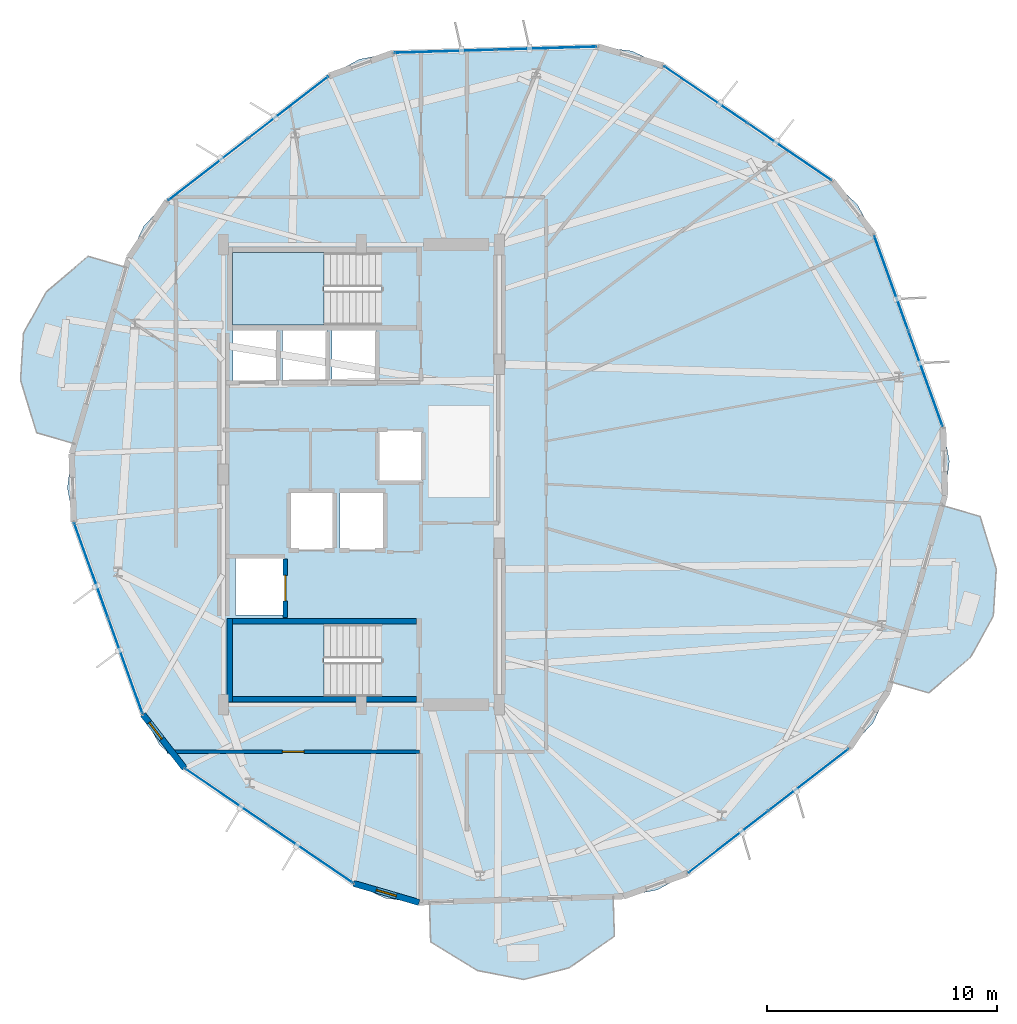
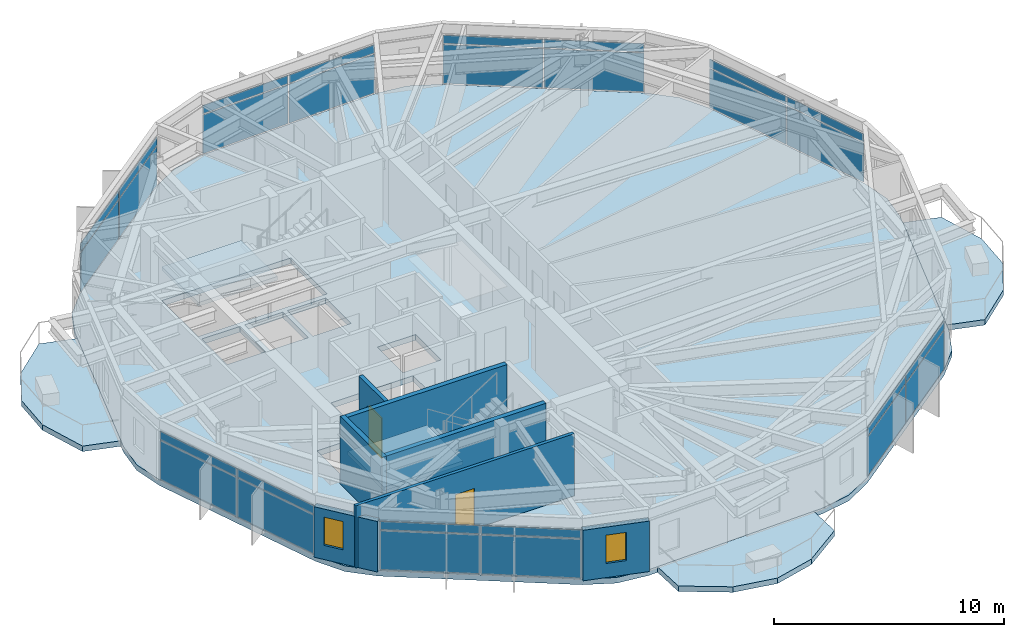
# One storey, part 17 of 23: 28 plates, 7 walls, 6 slabs, 2 doors, 2 windows, 4 openings, 9 elements without a shape of their own.
"""IFC4 building model written with IfcOpenShell, lengths in metres."""

from ifc_helpers import new_model, si_unit, direction, frame, frame_2d, origin, origin_2d, place, context, subcontext, project, spatial, polyline, rectangle, outline, extrude, material, layer, layer_set, type_object, element, fill, aggregate, save


model = new_model("IFC4")

# Units and contexts
model_context = context("Model", 3, precision=1e-05, world=origin(), true_north=direction((0.0, 1.0)))
body_context = subcontext(model_context, "Body", "Model", "MODEL_VIEW")
ifc_project = project(units=[si_unit("LENGTHUNIT", "METRE"), si_unit("AREAUNIT", "SQUARE_METRE"), si_unit("VOLUMEUNIT", "CUBIC_METRE"), si_unit("PLANEANGLEUNIT", "RADIAN"), si_unit("MASSUNIT", "GRAM", prefix="KILO")], contexts=[model_context])

# Site, building, storey
site_placement = place(None, origin())
site = spatial("IfcSite", under=ifc_project, at=site_placement, CompositionType="ELEMENT")
building_placement = place(site_placement, origin())
building = spatial("IfcBuilding", under=site, at=building_placement, Name="Soratama Intermodal Tower", CompositionType="ELEMENT")
storey_placement = place(building_placement, frame((0.0, 0.0, 171.39990234375)))
storey = spatial("IfcBuildingStorey", under=building, at=storey_placement, Name="L42", CompositionType="ELEMENT", Elevation=171.39990234375)

# Curtain wall, plates
ifc_material_1 = material(Name="Double-glazed aluminium curtain wall", Category="aluminium")
ifc_layer_1 = layer(ifc_material_1, 0.159912109375)
ifc_layer_set_1 = layer_set([ifc_layer_1], Name="Double-glazed aluminium curtain wall")
curtain_wall_type = type_object("IfcCurtainWallType", Name="CW-SYS-4", PredefinedType="NOTDEFINED", material=ifc_layer_set_1)
curtain_wall_1_placement = place(storey_placement, origin())
curtain_wall_1 = element("IfcCurtainWall", 1, at=curtain_wall_1_placement, inside=storey, type_object=curtain_wall_type, Name="L42 Faceted Curtain Wall F01", PredefinedType="NOTDEFINED")
ifc_material_2 = material(Name="Low-E laminated double glazing", Category="glass")
ifc_layer_2 = layer(ifc_material_2, 0.02392578125)
ifc_layer_set_2 = layer_set([ifc_layer_2], Name="Low-E laminated double glazing")
plate_type = type_object("IfcPlateType", Name="PT-CWP-4", PredefinedType="CURTAIN_PANEL", material=ifc_layer_set_2)
plate_1_placement = place(storey_placement, frame((57.224365234375, 39.02734375, 0.06005859375), z_axis=(0.0, 0.0, 1.0), x_axis=(-0.826490080966, 0.562951282142, 0.0)))
plate_1 = element("IfcPlate", 2, at=plate_1_placement, type_object=plate_type, Name="CW-4 panel 1.1", PredefinedType="CURTAIN_PANEL", context=body_context, shape_type="SweptSolid", body=[
    extrude(rectangle(XDim=4.353271484375, YDim=0.028076171875, at=origin_2d()), origin(), (0.0, 0.0, 1.0), 2.06005859375),
])
plate_2_placement = place(storey_placement, frame((57.224365234375, 39.02734375, 2.18017578125), z_axis=(0.0, 0.0, 1.0), x_axis=(-0.826490080966, 0.562951282142, 0.0)))
plate_2 = element("IfcPlate", 3, at=plate_2_placement, type_object=plate_type, Name="CW-4 panel 1.2", PredefinedType="CURTAIN_PANEL", context=body_context, shape_type="SweptSolid", body=[
    extrude(rectangle(XDim=4.353271484375, YDim=0.028076171875, at=origin_2d()), origin(), (0.0, 0.0, 1.0), 0.43896484375),
])
plate_3_placement = place(storey_placement, frame((53.576904296875, 41.511962890625, 0.06005859375), z_axis=(0.0, 0.0, 1.0), x_axis=(-0.826490080966, 0.562951282142, 0.0)))
plate_3 = element("IfcPlate", 4, at=plate_3_placement, type_object=plate_type, Name="CW-4 panel 2.1", PredefinedType="CURTAIN_PANEL", context=body_context, shape_type="SweptSolid", body=[
    extrude(rectangle(XDim=4.353271484375, YDim=0.028076171875, at=origin_2d()), origin(), (0.0, 0.0, 1.0), 2.06005859375),
])
plate_4_placement = place(storey_placement, frame((53.576904296875, 41.511962890625, 2.18017578125), z_axis=(0.0, 0.0, 1.0), x_axis=(-0.826490080966, 0.562951282142, 0.0)))
plate_4 = element("IfcPlate", 5, at=plate_4_placement, type_object=plate_type, Name="CW-4 panel 2.2", PredefinedType="CURTAIN_PANEL", context=body_context, shape_type="SweptSolid", body=[
    extrude(rectangle(XDim=4.353271484375, YDim=0.028076171875, at=origin_2d()), origin(), (0.0, 0.0, 1.0), 0.43896484375),
])
aggregate(curtain_wall_1, [plate_1, plate_2, plate_3, plate_4])

curtain_wall_2_placement = place(storey_placement, origin())
curtain_wall_2 = element("IfcCurtainWall", 6, at=curtain_wall_2_placement, inside=storey, type_object=curtain_wall_type, Name="L42 Faceted Curtain Wall F02", PredefinedType="NOTDEFINED")
plate_5_placement = place(storey_placement, frame((46.644775390625, 43.53369140625, 0.06005859375), z_axis=(0.0, 0.0, 1.0), x_axis=(-0.999539029315, -0.030359988073, 0.0)))
plate_5 = element("IfcPlate", 7, at=plate_5_placement, type_object=plate_type, Name="CW-4 panel 1.1", PredefinedType="CURTAIN_PANEL", context=body_context, shape_type="SweptSolid", body=[
    extrude(rectangle(XDim=4.353271484375, YDim=0.028076171875, at=origin_2d()), origin(), (0.0, 0.0, 1.0), 2.06005859375),
])
plate_6_placement = place(storey_placement, frame((46.644775390625, 43.53369140625, 2.18017578125), z_axis=(0.0, 0.0, 1.0), x_axis=(-0.999539029315, -0.030359988073, 0.0)))
plate_6 = element("IfcPlate", 8, at=plate_6_placement, type_object=plate_type, Name="CW-4 panel 1.2", PredefinedType="CURTAIN_PANEL", context=body_context, shape_type="SweptSolid", body=[
    extrude(rectangle(XDim=4.353271484375, YDim=0.028076171875, at=origin_2d()), origin(), (0.0, 0.0, 1.0), 0.43896484375),
])
plate_7_placement = place(storey_placement, frame((42.2333984375, 43.399658203125, 0.06005859375), z_axis=(0.0, 0.0, 1.0), x_axis=(-0.999539029315, -0.030359988073, 0.0)))
plate_7 = element("IfcPlate", 9, at=plate_7_placement, type_object=plate_type, Name="CW-4 panel 2.1", PredefinedType="CURTAIN_PANEL", context=body_context, shape_type="SweptSolid", body=[
    extrude(rectangle(XDim=4.353271484375, YDim=0.028076171875, at=origin_2d()), origin(), (0.0, 0.0, 1.0), 2.06005859375),
])
plate_8_placement = place(storey_placement, frame((42.2333984375, 43.399658203125, 2.18017578125), z_axis=(0.0, 0.0, 1.0), x_axis=(-0.999539029315, -0.030359988073, 0.0)))
plate_8 = element("IfcPlate", 10, at=plate_8_placement, type_object=plate_type, Name="CW-4 panel 2.2", PredefinedType="CURTAIN_PANEL", context=body_context, shape_type="SweptSolid", body=[
    extrude(rectangle(XDim=4.353271484375, YDim=0.028076171875, at=origin_2d()), origin(), (0.0, 0.0, 1.0), 0.43896484375),
])
aggregate(curtain_wall_2, [plate_5, plate_6, plate_7, plate_8])

curtain_wall_3_placement = place(storey_placement, origin())
curtain_wall_3 = element("IfcCurtainWall", 11, at=curtain_wall_3_placement, inside=storey, type_object=curtain_wall_type, Name="L42 Faceted Curtain Wall F03", PredefinedType="NOTDEFINED")
plate_9_placement = place(storey_placement, frame((35.436767578125, 40.960693359375, 0.06005859375), z_axis=(0.0, 0.0, 1.0), x_axis=(-0.790801189601, -0.612073099005, 0.0)))
plate_9 = element("IfcPlate", 12, at=plate_9_placement, type_object=plate_type, Name="CW-4 panel 1.1", PredefinedType="CURTAIN_PANEL", context=body_context, shape_type="SweptSolid", body=[
    extrude(rectangle(XDim=4.353271484375, YDim=0.028076171875, at=origin_2d()), origin(), (0.0, 0.0, 1.0), 2.06005859375),
])
plate_10_placement = place(storey_placement, frame((35.436767578125, 40.960693359375, 2.18017578125), z_axis=(0.0, 0.0, 1.0), x_axis=(-0.790801189601, -0.612073099005, 0.0)))
plate_10 = element("IfcPlate", 13, at=plate_10_placement, type_object=plate_type, Name="CW-4 panel 1.2", PredefinedType="CURTAIN_PANEL", context=body_context, shape_type="SweptSolid", body=[
    extrude(rectangle(XDim=4.353271484375, YDim=0.028076171875, at=origin_2d()), origin(), (0.0, 0.0, 1.0), 0.43896484375),
])
plate_11_placement = place(storey_placement, frame((31.94677734375, 38.259521484375, 0.06005859375), z_axis=(0.0, 0.0, 1.0), x_axis=(-0.790801189601, -0.612073099005, 0.0)))
plate_11 = element("IfcPlate", 14, at=plate_11_placement, type_object=plate_type, Name="CW-4 panel 2.1", PredefinedType="CURTAIN_PANEL", context=body_context, shape_type="SweptSolid", body=[
    extrude(rectangle(XDim=4.353271484375, YDim=0.028076171875, at=origin_2d()), origin(), (0.0, 0.0, 1.0), 2.06005859375),
])
plate_12_placement = place(storey_placement, frame((31.94677734375, 38.259521484375, 2.18017578125), z_axis=(0.0, 0.0, 1.0), x_axis=(-0.790801189601, -0.612073099005, 0.0)))
plate_12 = element("IfcPlate", 15, at=plate_12_placement, type_object=plate_type, Name="CW-4 panel 2.2", PredefinedType="CURTAIN_PANEL", context=body_context, shape_type="SweptSolid", body=[
    extrude(rectangle(XDim=4.353271484375, YDim=0.028076171875, at=origin_2d()), origin(), (0.0, 0.0, 1.0), 0.43896484375),
])
aggregate(curtain_wall_3, [plate_9, plate_10, plate_11, plate_12])

curtain_wall_4_placement = place(storey_placement, origin())
curtain_wall_4 = element("IfcCurtainWall", 16, at=curtain_wall_4_placement, inside=storey, type_object=curtain_wall_type, Name="L42 Faceted Curtain Wall F05", PredefinedType="NOTDEFINED")
plate_13_placement = place(storey_placement, frame((26.865234375, 20.8369140625, 0.06005859375), z_axis=(0.0, 0.0, 1.0), x_axis=(0.337751011288, -0.94123549358, 0.0)))
plate_13 = element("IfcPlate", 17, at=plate_13_placement, type_object=plate_type, Name="CW-4 panel 1.1", PredefinedType="CURTAIN_PANEL", context=body_context, shape_type="SweptSolid", body=[
    extrude(rectangle(XDim=4.353271484375, YDim=0.028076171875, at=origin_2d()), origin(), (0.0, 0.0, 1.0), 2.06005859375),
])
plate_14_placement = place(storey_placement, frame((26.865234375, 20.8369140625, 2.18017578125), z_axis=(0.0, 0.0, 1.0), x_axis=(0.337751011288, -0.94123549358, 0.0)))
plate_14 = element("IfcPlate", 18, at=plate_14_placement, type_object=plate_type, Name="CW-4 panel 1.2", PredefinedType="CURTAIN_PANEL", context=body_context, shape_type="SweptSolid", body=[
    extrude(rectangle(XDim=4.353271484375, YDim=0.028076171875, at=origin_2d()), origin(), (0.0, 0.0, 1.0), 0.43896484375),
])
plate_15_placement = place(storey_placement, frame((28.355712890625, 16.682861328125, 0.06005859375), z_axis=(0.0, 0.0, 1.0), x_axis=(0.337751011288, -0.94123549358, 0.0)))
plate_15 = element("IfcPlate", 19, at=plate_15_placement, type_object=plate_type, Name="CW-4 panel 2.1", PredefinedType="CURTAIN_PANEL", context=body_context, shape_type="SweptSolid", body=[
    extrude(rectangle(XDim=4.353271484375, YDim=0.028076171875, at=origin_2d()), origin(), (0.0, 0.0, 1.0), 2.06005859375),
])
plate_16_placement = place(storey_placement, frame((28.355712890625, 16.682861328125, 2.18017578125), z_axis=(0.0, 0.0, 1.0), x_axis=(0.337751011288, -0.94123549358, 0.0)))
plate_16 = element("IfcPlate", 20, at=plate_16_placement, type_object=plate_type, Name="CW-4 panel 2.2", PredefinedType="CURTAIN_PANEL", context=body_context, shape_type="SweptSolid", body=[
    extrude(rectangle(XDim=4.353271484375, YDim=0.028076171875, at=origin_2d()), origin(), (0.0, 0.0, 1.0), 0.43896484375),
])
aggregate(curtain_wall_4, [plate_13, plate_14, plate_15, plate_16])

curtain_wall_5_placement = place(storey_placement, origin())
curtain_wall_5 = element("IfcCurtainWall", 21, at=curtain_wall_5_placement, inside=storey, type_object=curtain_wall_type, Name="L42 Faceted Curtain Wall F06", PredefinedType="NOTDEFINED")
plate_17_placement = place(storey_placement, frame((32.775634765625, 10.97265625, 0.06005859375), z_axis=(0.0, 0.0, 1.0), x_axis=(0.826490080966, -0.562951282142, 0.0)))
plate_17 = element("IfcPlate", 22, at=plate_17_placement, type_object=plate_type, Name="CW-4 panel 1.1", PredefinedType="CURTAIN_PANEL", context=body_context, shape_type="SweptSolid", body=[
    extrude(rectangle(XDim=4.353271484375, YDim=0.028076171875, at=origin_2d()), origin(), (0.0, 0.0, 1.0), 2.06005859375),
])
plate_18_placement = place(storey_placement, frame((32.775634765625, 10.97265625, 2.18017578125), z_axis=(0.0, 0.0, 1.0), x_axis=(0.826490080966, -0.562951282142, 0.0)))
plate_18 = element("IfcPlate", 23, at=plate_18_placement, type_object=plate_type, Name="CW-4 panel 1.2", PredefinedType="CURTAIN_PANEL", context=body_context, shape_type="SweptSolid", body=[
    extrude(rectangle(XDim=4.353271484375, YDim=0.028076171875, at=origin_2d()), origin(), (0.0, 0.0, 1.0), 0.43896484375),
])
plate_19_placement = place(storey_placement, frame((36.423095703125, 8.488037109375, 0.06005859375), z_axis=(0.0, 0.0, 1.0), x_axis=(0.826490080966, -0.562951282142, 0.0)))
plate_19 = element("IfcPlate", 24, at=plate_19_placement, type_object=plate_type, Name="CW-4 panel 2.1", PredefinedType="CURTAIN_PANEL", context=body_context, shape_type="SweptSolid", body=[
    extrude(rectangle(XDim=4.353271484375, YDim=0.028076171875, at=origin_2d()), origin(), (0.0, 0.0, 1.0), 2.06005859375),
])
plate_20_placement = place(storey_placement, frame((36.423095703125, 8.488037109375, 2.18017578125), z_axis=(0.0, 0.0, 1.0), x_axis=(0.826490080966, -0.562951282142, 0.0)))
plate_20 = element("IfcPlate", 25, at=plate_20_placement, type_object=plate_type, Name="CW-4 panel 2.2", PredefinedType="CURTAIN_PANEL", context=body_context, shape_type="SweptSolid", body=[
    extrude(rectangle(XDim=4.353271484375, YDim=0.028076171875, at=origin_2d()), origin(), (0.0, 0.0, 1.0), 0.43896484375),
])
aggregate(curtain_wall_5, [plate_17, plate_18, plate_19, plate_20])

curtain_wall_6_placement = place(storey_placement, origin())
curtain_wall_6 = element("IfcCurtainWall", 26, at=curtain_wall_6_placement, inside=storey, type_object=curtain_wall_type, Name="L42 Faceted Curtain Wall F08", PredefinedType="NOTDEFINED")
plate_21_placement = place(storey_placement, frame((54.563232421875, 9.039306640625, 0.06005859375), z_axis=(0.0, 0.0, 1.0), x_axis=(0.790801189601, 0.612073099005, 0.0)))
plate_21 = element("IfcPlate", 27, at=plate_21_placement, type_object=plate_type, Name="CW-4 panel 1.1", PredefinedType="CURTAIN_PANEL", context=body_context, shape_type="SweptSolid", body=[
    extrude(rectangle(XDim=4.353271484375, YDim=0.028076171875, at=origin_2d()), origin(), (0.0, 0.0, 1.0), 2.06005859375),
])
plate_22_placement = place(storey_placement, frame((54.563232421875, 9.039306640625, 2.18017578125), z_axis=(0.0, 0.0, 1.0), x_axis=(0.790801189601, 0.612073099005, 0.0)))
plate_22 = element("IfcPlate", 28, at=plate_22_placement, type_object=plate_type, Name="CW-4 panel 1.2", PredefinedType="CURTAIN_PANEL", context=body_context, shape_type="SweptSolid", body=[
    extrude(rectangle(XDim=4.353271484375, YDim=0.028076171875, at=origin_2d()), origin(), (0.0, 0.0, 1.0), 0.43896484375),
])
plate_23_placement = place(storey_placement, frame((58.05322265625, 11.740478515625, 0.06005859375), z_axis=(0.0, 0.0, 1.0), x_axis=(0.790801189601, 0.612073099005, 0.0)))
plate_23 = element("IfcPlate", 29, at=plate_23_placement, type_object=plate_type, Name="CW-4 panel 2.1", PredefinedType="CURTAIN_PANEL", context=body_context, shape_type="SweptSolid", body=[
    extrude(rectangle(XDim=4.353271484375, YDim=0.028076171875, at=origin_2d()), origin(), (0.0, 0.0, 1.0), 2.06005859375),
])
plate_24_placement = place(storey_placement, frame((58.05322265625, 11.740478515625, 2.18017578125), z_axis=(0.0, 0.0, 1.0), x_axis=(0.790801189601, 0.612073099005, 0.0)))
plate_24 = element("IfcPlate", 30, at=plate_24_placement, type_object=plate_type, Name="CW-4 panel 2.2", PredefinedType="CURTAIN_PANEL", context=body_context, shape_type="SweptSolid", body=[
    extrude(rectangle(XDim=4.353271484375, YDim=0.028076171875, at=origin_2d()), origin(), (0.0, 0.0, 1.0), 0.43896484375),
])
aggregate(curtain_wall_6, [plate_21, plate_22, plate_23, plate_24])

curtain_wall_7_placement = place(storey_placement, origin())
curtain_wall_7 = element("IfcCurtainWall", 31, at=curtain_wall_7_placement, inside=storey, type_object=curtain_wall_type, Name="L42 Faceted Curtain Wall F10", PredefinedType="NOTDEFINED")
plate_25_placement = place(storey_placement, frame((63.134765625, 29.1630859375, 0.06005859375), z_axis=(0.0, 0.0, 1.0), x_axis=(-0.337751011288, 0.94123549358, 0.0)))
plate_25 = element("IfcPlate", 32, at=plate_25_placement, type_object=plate_type, Name="CW-4 panel 1.1", PredefinedType="CURTAIN_PANEL", context=body_context, shape_type="SweptSolid", body=[
    extrude(rectangle(XDim=4.353271484375, YDim=0.028076171875, at=origin_2d()), origin(), (0.0, 0.0, 1.0), 2.06005859375),
])
plate_26_placement = place(storey_placement, frame((63.134765625, 29.1630859375, 2.18017578125), z_axis=(0.0, 0.0, 1.0), x_axis=(-0.337751011288, 0.94123549358, 0.0)))
plate_26 = element("IfcPlate", 33, at=plate_26_placement, type_object=plate_type, Name="CW-4 panel 1.2", PredefinedType="CURTAIN_PANEL", context=body_context, shape_type="SweptSolid", body=[
    extrude(rectangle(XDim=4.353271484375, YDim=0.028076171875, at=origin_2d()), origin(), (0.0, 0.0, 1.0), 0.43896484375),
])
plate_27_placement = place(storey_placement, frame((61.644287109375, 33.317138671875, 0.06005859375), z_axis=(0.0, 0.0, 1.0), x_axis=(-0.337751011288, 0.94123549358, 0.0)))
plate_27 = element("IfcPlate", 34, at=plate_27_placement, type_object=plate_type, Name="CW-4 panel 2.1", PredefinedType="CURTAIN_PANEL", context=body_context, shape_type="SweptSolid", body=[
    extrude(rectangle(XDim=4.353271484375, YDim=0.028076171875, at=origin_2d()), origin(), (0.0, 0.0, 1.0), 2.06005859375),
])
plate_28_placement = place(storey_placement, frame((61.644287109375, 33.317138671875, 2.18017578125), z_axis=(0.0, 0.0, 1.0), x_axis=(-0.337751011288, 0.94123549358, 0.0)))
plate_28 = element("IfcPlate", 35, at=plate_28_placement, type_object=plate_type, Name="CW-4 panel 2.2", PredefinedType="CURTAIN_PANEL", context=body_context, shape_type="SweptSolid", body=[
    extrude(rectangle(XDim=4.353271484375, YDim=0.028076171875, at=origin_2d()), origin(), (0.0, 0.0, 1.0), 0.43896484375),
])
aggregate(curtain_wall_7, [plate_25, plate_26, plate_27, plate_28])

# Slabs
ifc_material_3 = material(Name="Concrete f'c 42 MPa", Category="concrete")
ifc_layer_3 = layer(ifc_material_3, 0.2900390625)
ifc_layer_set_3 = layer_set([ifc_layer_3], Name="Concrete f'c 42 MPa")
slab_type_1 = type_object("IfcSlabType", Name="SL-EXT-BAL2", PredefinedType="FLOOR", material=ifc_layer_set_3)
slab_1_placement = place(storey_placement, frame((0.0, 0.0, -0.289794921875)))
element("IfcSlab", 36, at=slab_1_placement, inside=storey, type_object=slab_type_1, Name="L42 Planted Balcony East 1", PredefinedType="FLOOR", context=body_context, shape_type="SweptSolid", body=[
    extrude(outline(polyline([(61.6181640625, 15.993408203125), (63.8544921875, 23.66064453125), (65.505615234375, 23.178955078125), (66.205078125, 20.89501953125), (66.076904296875, 18.8525390625), (65.0869140625, 17.0615234375), (63.269287109375, 15.51171875), (61.6181640625, 15.993408203125)])), origin(), (0.0, 0.0, 1.0), 0.289794921875),
])
slab_2_placement = place(storey_placement, frame((0.0, 0.0, -0.289794921875)))
element("IfcSlab", 37, at=slab_2_placement, inside=storey, type_object=slab_type_1, Name="L42 Planted Balcony West 2", PredefinedType="FLOOR", context=body_context, shape_type="SweptSolid", body=[
    extrude(outline(polyline([(28.3818359375, 34.006591796875), (26.1455078125, 26.33935546875), (24.494384765625, 26.821044921875), (23.794921875, 29.10498046875), (23.923095703125, 31.1474609375), (24.9130859375, 32.9384765625), (26.730712890625, 34.48828125), (28.3818359375, 34.006591796875)])), origin(), (0.0, 0.0, 1.0), 0.289794921875),
])
slab_3_placement = place(storey_placement, frame((0.0, 0.0, -0.289794921875)))
element("IfcSlab", 38, at=slab_3_placement, inside=storey, type_object=slab_type_1, Name="L42 Planted Balcony South 3", PredefinedType="FLOOR", context=body_context, shape_type="SweptSolid", body=[
    extrude(outline(polyline([(41.569580078125, 6.412109375), (49.552490234375, 6.654541015625), (49.604736328125, 4.935302734375), (47.648681640625, 3.564453125), (45.666748046875, 3.054931640625), (43.6572265625, 3.443115234375), (41.62158203125, 4.69287109375), (41.569580078125, 6.412109375)])), origin(), (0.0, 0.0, 1.0), 0.289794921875),
])

# Stair, slab
ifc_material_4 = material(Name="Concrete f'c 42 MPa", Category="concrete")
stair_type = type_object("IfcStairType", Name="ST-CORE-DOGLEG", PredefinedType="HALF_TURN_STAIR", material=ifc_material_4)
stair_1_placement = place(storey_placement, origin())
stair_1 = element("IfcStair", 39, at=stair_1_placement, inside=storey, type_object=stair_type, Name="L42 ST-1", PredefinedType="HALF_TURN_STAIR")
ifc_material_5 = material(Name="Concrete f'c 42 MPa", Category="concrete")
ifc_layer_4 = layer(ifc_material_5, 0.219970703125)
ifc_layer_set_4 = layer_set([ifc_layer_4], Name="Concrete f'c 42 MPa")
slab_type_2 = type_object("IfcSlabType", Name="SL-STAIR-LAND", PredefinedType="LANDING", material=ifc_layer_set_4)
slab_4_placement = place(storey_placement, frame((0.0, 0.0, 1.60009765625)))
slab_4 = element("IfcSlab", 40, at=slab_4_placement, type_object=slab_type_2, Name="ST-1 landing 1", PredefinedType="LANDING", context=body_context, shape_type="SweptSolid", body=[
    extrude(outline(polyline([(36.97998046875, 18.5), (33.0, 18.5), (33.0, 15.35009765625), (36.97998046875, 15.35009765625), (36.97998046875, 18.5)])), origin(), (0.0, 0.0, 1.0), 0.199951171875),
])
aggregate(stair_1, [slab_4])

stair_2_placement = place(storey_placement, origin())
stair_2 = element("IfcStair", 41, at=stair_2_placement, inside=storey, type_object=stair_type, Name="L42 ST-2", PredefinedType="HALF_TURN_STAIR")
slab_5_placement = place(storey_placement, frame((0.0, 0.0, 1.60009765625)))
slab_5 = element("IfcSlab", 42, at=slab_5_placement, type_object=slab_type_2, Name="ST-2 landing 1", PredefinedType="LANDING", context=body_context, shape_type="SweptSolid", body=[
    extrude(outline(polyline([(36.97998046875, 34.64990234375), (33.0, 34.64990234375), (33.0, 31.5), (36.97998046875, 31.5), (36.97998046875, 34.64990234375)])), origin(), (0.0, 0.0, 1.0), 0.199951171875),
])
aggregate(stair_2, [slab_5])

# Slab
ifc_material_6 = material(Name="Concrete f'c 42 MPa", Category="concrete")
ifc_layer_5 = layer(ifc_material_6, 0.280029296875)
ifc_layer_set_5 = layer_set([ifc_layer_5], Name="Concrete f'c 42 MPa")
slab_type_3 = type_object("IfcSlabType", Name="SL-TWR-280", PredefinedType="FLOOR", material=ifc_layer_set_5)
slab_6_placement = place(storey_placement, frame((0.0, 0.0, -0.2998046875)))
element("IfcSlab", 43, at=slab_6_placement, inside=storey, type_object=slab_type_3, Name="L42 Structural Floor Slab", PredefinedType="FLOOR", context=body_context, shape_type="SweptSolid", body=[
    extrude(outline(polyline([(60.888916015625, 35.42236328125), (60.166748046875, 36.739013671875), (59.072998046875, 37.768310546875), (51.728271484375, 42.77099609375), (50.3701171875, 43.411865234375), (48.88037109375, 43.6015625), (39.997802734375, 43.331787109375), (38.522216796875, 43.052001953125), (37.20556640625, 42.329833984375), (30.177978515625, 36.890380859375), (29.148681640625, 35.796875), (28.5078125, 34.438720703125), (26.01953125, 25.907470703125), (25.829833984375, 24.41748046875), (26.109619140625, 22.942138671875), (29.111083984375, 14.57763671875), (29.833251953125, 13.260986328125), (30.927001953125, 12.231689453125), (38.271728515625, 7.22900390625), (39.6298828125, 6.588134765625), (41.11962890625, 6.3984375), (50.002197265625, 6.668212890625), (51.477783203125, 6.947998046875), (52.79443359375, 7.670166015625), (59.822021484375, 13.109619140625), (60.851318359375, 14.203125), (61.4921875, 15.561279296875), (63.98046875, 24.092529296875), (64.170166015625, 25.58251953125), (63.890380859375, 27.057861328125), (60.888916015625, 35.42236328125)]), holes=[polyline([(33.0, 18.5), (33.0, 15.35009765625), (39.47509765625, 15.35009765625), (39.47509765625, 18.5), (33.0, 18.5)]), polyline([(35.260009765625, 21.409912109375), (33.139892578125, 21.409912109375), (33.139892578125, 18.889892578125), (35.260009765625, 18.889892578125), (35.260009765625, 21.409912109375)]), polyline([(37.409912109375, 24.260009765625), (35.489990234375, 24.260009765625), (35.489990234375, 21.739990234375), (37.409912109375, 21.739990234375), (37.409912109375, 24.260009765625)]), polyline([(39.610107421875, 24.260009765625), (37.68994140625, 24.260009765625), (37.68994140625, 21.739990234375), (39.610107421875, 21.739990234375), (39.610107421875, 24.260009765625)]), polyline([(41.260009765625, 26.909912109375), (39.340087890625, 26.909912109375), (39.340087890625, 24.68994140625), (41.260009765625, 24.68994140625), (41.260009765625, 26.909912109375)]), polyline([(34.9599609375, 31.260009765625), (33.0400390625, 31.260009765625), (33.0400390625, 29.0400390625), (34.9599609375, 29.0400390625), (34.9599609375, 31.260009765625)]), polyline([(37.110107421875, 31.260009765625), (35.18994140625, 31.260009765625), (35.18994140625, 29.0400390625), (37.110107421875, 29.0400390625), (37.110107421875, 31.260009765625)]), polyline([(39.260009765625, 29.0400390625), (39.260009765625, 31.260009765625), (37.340087890625, 31.260009765625), (37.340087890625, 29.0400390625), (39.260009765625, 29.0400390625)]), polyline([(39.47509765625, 34.64990234375), (33.0, 34.64990234375), (33.0, 31.5), (39.47509765625, 31.5), (39.47509765625, 34.64990234375)])]), origin(), (0.0, 0.0, 1.0), 0.2998046875),
])

# Wall, opening, window
ifc_material_7 = material(Name="Concrete f'c 42 MPa", Category="concrete")
ifc_layer_6 = layer(ifc_material_7, 0.27001953125)
ifc_layer_set_6 = layer_set([ifc_layer_6], Name="Concrete f'c 42 MPa")
wall_type_1 = type_object("IfcWallType", Name="EW-CRN-270", PredefinedType="SOLIDWALL", material=ifc_layer_set_6)
wall_1_placement = place(storey_placement, frame((29.111083984375, 14.57763671875, 0.0), z_axis=(0.0, 0.0, 1.0), x_axis=(0.612110117852, -0.790772535956, 0.0)))
wall_1 = element("IfcWall", 44, at=wall_1_placement, inside=storey, type_object=wall_type_1, Name="L42 Corner Closure Wall 05", PredefinedType="SOLIDWALL", context=body_context, shape_type="SweptSolid", body=[
    extrude(rectangle(XDim=2.966552734375, YDim=0.27001953125, at=frame_2d((1.4833984375, 0.0))), origin(), (0.0, 0.0, 1.0), 2.67919921875),
])
opening_1_placement = place(wall_1_placement, frame((0.449951171875, 0.0, 0.75)))
opening_1 = element("IfcOpeningElement", 45, at=opening_1_placement, cuts=wall_1, Name="Opening WN-6", PredefinedType="OPENING", context=body_context, shape_type="SweptSolid", body=[
    extrude(rectangle(XDim=0.89990234375, YDim=1.5, at=frame_2d((0.449951171875, 0.75))), frame((0.0, 0.14501953125, 0.0), z_axis=(0.0, -1.0, 0.0), x_axis=(1.0, 0.0, 0.0)), (0.0, 0.0, 1.0), 0.2900390625),
])
ifc_material_8 = material(Name="Double-glazed aluminium window", Category="aluminium")
window_type = type_object("IfcWindowType", Name="WN-FAC-900", PartitioningType="SINGLE_PANEL", PredefinedType="WINDOW", material=ifc_material_8)
window_1_placement = place(opening_1_placement, origin())
window_1 = element("IfcWindow", 46, at=window_1_placement, inside=storey, type_object=window_type, Name="L42 Corner Window 05", OverallHeight=1.5, OverallWidth=0.89990234375, PartitioningType="SINGLE_PANEL", PredefinedType="WINDOW", context=body_context, shape_type="SweptSolid", body=[
    extrude(rectangle(XDim=0.89990234375, YDim=1.5, at=frame_2d((0.449951171875, 0.75))), frame((0.0, 0.030029296875, 0.0), z_axis=(0.0, -1.0, 0.0), x_axis=(1.0, 0.0, 0.0)), (0.0, 0.0, 1.0), 0.06005859375),
])
fill(opening_1, window_1)

wall_2_placement = place(storey_placement, frame((38.271728515625, 7.22900390625, 0.0), z_axis=(0.0, 0.0, 1.0), x_axis=(0.96000645191, -0.279977878217, 0.0)))
wall_2 = element("IfcWall", 47, at=wall_2_placement, inside=storey, type_object=wall_type_1, Name="L42 Corner Closure Wall 06", PredefinedType="SOLIDWALL", context=body_context, shape_type="SweptSolid", body=[
    extrude(rectangle(XDim=2.966552734375, YDim=0.27001953125, at=frame_2d((1.4833984375, 0.0))), origin(), (0.0, 0.0, 1.0), 2.67919921875),
])
opening_2_placement = place(wall_2_placement, frame((1.033203125, 0.0, 0.75)))
opening_2 = element("IfcOpeningElement", 48, at=opening_2_placement, cuts=wall_2, Name="Opening WN-6", PredefinedType="OPENING", context=body_context, shape_type="SweptSolid", body=[
    extrude(rectangle(XDim=0.89990234375, YDim=1.5, at=frame_2d((0.449951171875, 0.75))), frame((0.0, 0.14501953125, 0.0), z_axis=(0.0, -1.0, 0.0), x_axis=(1.0, 0.0, 0.0)), (0.0, 0.0, 1.0), 0.2900390625),
])
window_2_placement = place(opening_2_placement, origin())
window_2 = element("IfcWindow", 49, at=window_2_placement, inside=storey, type_object=window_type, Name="L42 Corner Window 06", OverallHeight=1.5, OverallWidth=0.89990234375, PartitioningType="SINGLE_PANEL", PredefinedType="WINDOW", context=body_context, shape_type="SweptSolid", body=[
    extrude(rectangle(XDim=0.89990234375, YDim=1.5, at=frame_2d((0.449951171875, 0.75))), frame((0.0, 0.030029296875, 0.0), z_axis=(0.0, -1.0, 0.0), x_axis=(1.0, 0.0, 0.0)), (0.0, 0.0, 1.0), 0.06005859375),
])
fill(opening_2, window_2)

# Wall, opening, door
ifc_material_9 = material(Name="Fire-rated gypsum stud partition", Category="concrete")
ifc_layer_7 = layer(ifc_material_9, 0.159912109375)
ifc_layer_set_7 = layer_set([ifc_layer_7], Name="Fire-rated gypsum stud partition")
wall_type_2 = type_object("IfcWallType", Name="IW-PART-R160", PredefinedType="PARTITIONING", material=ifc_layer_set_7)
wall_3_placement = place(storey_placement, frame((41.1298828125, 12.949951171875, 0.0), z_axis=(0.0, 0.0, 1.0), x_axis=(-1.0, 0.0, 0.0)))
wall_3 = element("IfcWall", 50, at=wall_3_placement, inside=storey, type_object=wall_type_2, Name="L42 Partition W-L42-TP006", PredefinedType="PARTITIONING", context=body_context, shape_type="SweptSolid", body=[
    extrude(rectangle(XDim=10.9658203125, YDim=0.159912109375, at=frame_2d((5.48291015625, 0.0))), origin(), (0.0, 0.0, 1.0), 3.300048828125),
])
opening_3_placement = place(wall_3_placement, frame((5.008056640625, 0.0, 0.0)))
opening_3 = element("IfcOpeningElement", 51, at=opening_3_placement, cuts=wall_3, Name="Opening ID-3", PredefinedType="OPENING", context=body_context, shape_type="SweptSolid", body=[
    extrude(rectangle(XDim=0.949951171875, YDim=2.14990234375, at=frame_2d((0.47509765625, 1.074951171875))), frame((0.0, 0.08984375, 0.0), z_axis=(0.0, -1.0, 0.0), x_axis=(1.0, 0.0, 0.0)), (0.0, 0.0, 1.0), 0.179931640625),
])
ifc_material_10 = material(Name="Solid hardwood acoustic door", Category="wood")
door_type_1 = type_object("IfcDoorType", Name="DR-ROOM-950", OperationType="NOTDEFINED", PredefinedType="DOOR", material=ifc_material_10)
door_1_placement = place(opening_3_placement, origin())
door_1 = element("IfcDoor", 52, at=door_1_placement, inside=storey, type_object=door_type_1, Name="L42 Door D-L42-TP001", OperationType="SINGLE_SWING_RIGHT", OverallHeight=2.14990234375, OverallWidth=0.949951171875, PredefinedType="DOOR", context=body_context, shape_type="SweptSolid", body=[
    extrude(rectangle(XDim=0.949951171875, YDim=2.14990234375, at=frame_2d((0.47509765625, 1.074951171875))), frame((0.0, 0.02490234375, 0.0), z_axis=(0.0, -1.0, 0.0), x_axis=(1.0, 0.0, 0.0)), (0.0, 0.0, 1.0), 0.050048828125),
])
fill(opening_3, door_1)

ifc_material_11 = material(Name="Concrete f'c 42 MPa", Category="concrete")
ifc_layer_8 = layer(ifc_material_11, 0.199951171875)
ifc_layer_set_8 = layer_set([ifc_layer_8], Name="Concrete f'c 42 MPa")
wall_type_3 = type_object("IfcWallType", Name="IW-SHAFT-200", PredefinedType="SOLIDWALL", material=ifc_layer_set_8)
wall_4_placement = place(storey_placement, frame((35.300048828125, 18.7900390625, 0.0), z_axis=(0.0, 0.0, 1.0), x_axis=(0.0, 1.0, 0.0)))
wall_4 = element("IfcWall", 53, at=wall_4_placement, inside=storey, type_object=wall_type_3, Name="L42 SVL-1 Hoistway Wall E", PredefinedType="SOLIDWALL", context=body_context, shape_type="SweptSolid", body=[
    extrude(rectangle(XDim=2.550048828125, YDim=0.199951171875, at=frame_2d((1.27490234375, 0.0))), origin(), (0.0, 0.0, 1.0), 3.300048828125),
])
opening_4_placement = place(wall_4_placement, frame((0.72509765625, 0.0, 0.0)))
opening_4 = element("IfcOpeningElement", 54, at=opening_4_placement, cuts=wall_4, Name="Opening LD-1", PredefinedType="OPENING", context=body_context, shape_type="SweptSolid", body=[
    extrude(rectangle(XDim=1.10009765625, YDim=2.14990234375, at=frame_2d((0.550048828125, 1.074951171875))), frame((0.0, 0.10986328125, 0.0), z_axis=(0.0, -1.0, 0.0), x_axis=(1.0, 0.0, 0.0)), (0.0, 0.0, 1.0), 0.219970703125),
])
ifc_material_12 = material(Name="Steel fire door", Category="steel")
door_type_2 = type_object("IfcDoorType", Name="DR-LIFT-SLIDE", OperationType="NOTDEFINED", PredefinedType="DOOR", material=ifc_material_12)
door_2_placement = place(opening_4_placement, origin())
door_2 = element("IfcDoor", 55, at=door_2_placement, inside=storey, type_object=door_type_2, Name="L42 SVL-1 Sliding Landing Door", OperationType="SLIDING_TO_LEFT", OverallHeight=2.14990234375, OverallWidth=1.10009765625, PredefinedType="DOOR", context=body_context, shape_type="SweptSolid", body=[
    extrude(rectangle(XDim=1.10009765625, YDim=2.14990234375, at=frame_2d((0.550048828125, 1.074951171875))), frame((0.0, 0.02490234375, 0.0), z_axis=(0.0, -1.0, 0.0), x_axis=(1.0, 0.0, 0.0)), (0.0, 0.0, 1.0), 0.050048828125),
])
fill(opening_4, door_2)

# Walls
ifc_material_13 = material(Name="Concrete f'c 56 MPa", Category="concrete")
ifc_layer_9 = layer(ifc_material_13, 0.239990234375)
ifc_layer_set_9 = layer_set([ifc_layer_9], Name="Concrete f'c 56 MPa")
wall_type_4 = type_object("IfcWallType", Name="SW-STAIR-240", PredefinedType="SHEAR", material=ifc_layer_set_9)
wall_5_placement = place(storey_placement, frame((32.8798828125, 15.110107421875, 0.0), z_axis=(0.0, 0.0, 1.0), x_axis=(0.0, 1.0, 0.0)))
element("IfcWall", 56, at=wall_5_placement, inside=storey, type_object=wall_type_4, Name="L42 ST-1 Shaft Shear Wall W", PredefinedType="SHEAR", context=body_context, shape_type="SweptSolid", body=[
    extrude(rectangle(XDim=3.6298828125, YDim=0.239990234375, at=frame_2d((1.81494140625, 0.0))), origin(), (0.0, 0.0, 1.0), 3.60009765625),
])
for number, where, z_axis, x_axis, name in (
    (57, (33.0, 15.22998046875, 0.0), (0.0, 0.0, 1.0), (1.0, 0.0, 0.0), "L42 ST-1 Shaft Shear Wall S"),
    (58, (33.0, 18.6201171875, 0.0), (0.0, 0.0, 1.0), (1.0, 0.0, 0.0), "L42 ST-1 Shaft Shear Wall N"),
):
    element("IfcWall", number, at=place(storey_placement, frame(where, z_axis=z_axis, x_axis=x_axis)), inside=storey, type_object=wall_type_4, Name=name, PredefinedType="SHEAR", context=body_context, shape_type="SweptSolid", body=[
        extrude(rectangle(XDim=8.0, YDim=0.239990234375, at=frame_2d((4.0, 0.0))), origin(), (0.0, 0.0, 1.0), 3.60009765625),
    ])

save(model, "model.ifc")
